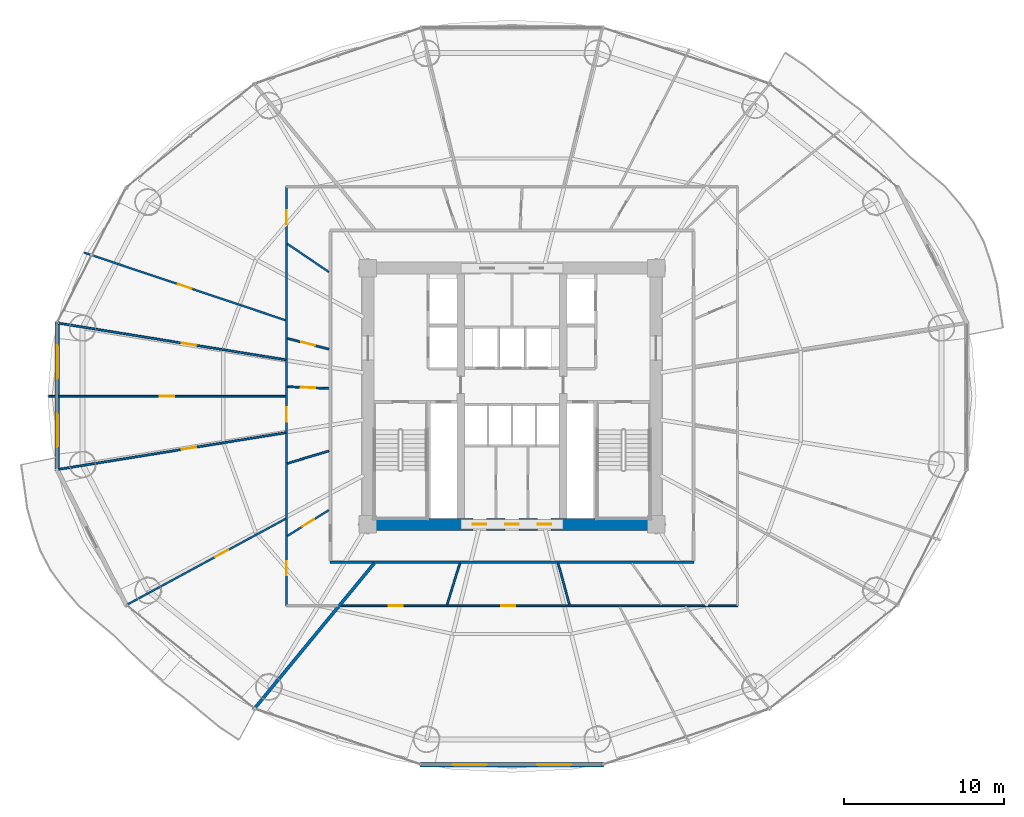
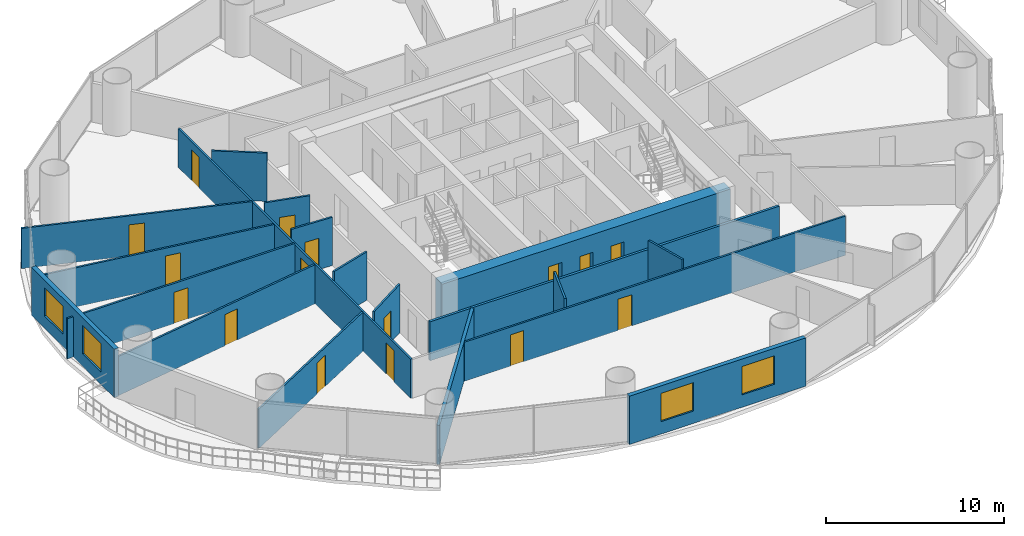
# One storey, part 21 of 28: 19 walls, 16 doors, 4 windows, 20 openings.
"""IFC4 building model written with IfcOpenShell, lengths in metres."""

from ifc_helpers import new_model, si_unit, direction, frame, frame_2d, origin, place, context, subcontext, project, spatial, rectangle, extrude, source, transform, mapped, material, layer, layer_set, type_object, element, fill, save


model = new_model("IFC4")

# Units and contexts
model_context = context("Model", 3, precision=1e-05, world=origin(), true_north=direction((-0.2419218956, 0.970295726276)))
body_context = subcontext(model_context, "Body", "Model", "MODEL_VIEW")
ifc_project = project(units=[si_unit("LENGTHUNIT", "METRE"), si_unit("AREAUNIT", "SQUARE_METRE"), si_unit("VOLUMEUNIT", "CUBIC_METRE"), si_unit("PLANEANGLEUNIT", "RADIAN"), si_unit("MASSUNIT", "GRAM", prefix="KILO")], contexts=[model_context])

# Site, building, storey
site_placement = place(None, origin())
site = spatial("IfcSite", under=ifc_project, at=site_placement, CompositionType="ELEMENT")
building_placement = place(site_placement, origin())
building = spatial("IfcBuilding", under=site, at=building_placement, Name="Cobrevalo Terracotta Tower", CompositionType="ELEMENT")
storey_placement = place(building_placement, frame((0.0, 0.0, 42.0)))
storey = spatial("IfcBuildingStorey", under=building, at=storey_placement, Name="L10", CompositionType="ELEMENT", Elevation=42.0)

# Wall, openings, doors
ifc_material_1 = material(Name="Concrete C60", Category="concrete")
ifc_layer_1 = layer(ifc_material_1, 0.75)
ifc_layer_set_1 = layer_set([ifc_layer_1], Name="Concrete C60")
wall_type_1 = type_object("IfcWallType", Name="Core shear wall 750 mm Concrete C60", PredefinedType="SHEAR", material=ifc_layer_set_1)
wall_1_placement = place(storey_placement, frame((28.625, 18.800048828125, 0.0), z_axis=(0.0, 0.0, 1.0), x_axis=(1.0, 0.0, 0.0)))
wall_1 = element("IfcWall", 1, at=wall_1_placement, inside=storey, type_object=wall_type_1, Name="L10 south core shear wall", PredefinedType="SHEAR", context=body_context, shape_type="SweptSolid", body=[
    extrude(rectangle(XDim=18.75, YDim=0.75, at=frame_2d((9.375, 0.0))), origin(), (0.0, 0.0, 1.0), 3.320068359375),
])
opening_1_placement = place(wall_1_placement, frame((6.927490234375, 0.0, 0.0)))
opening_1 = element("IfcOpeningElement", 2, at=opening_1_placement, cuts=wall_1, Name="Opening ID-22", PredefinedType="OPENING", context=body_context, shape_type="SweptSolid", body=[
    extrude(rectangle(XDim=0.85009765625, YDim=2.10009765625, at=frame_2d((0.425048828125, 1.050048828125))), frame((0.0, 0.385009765625, 0.0), z_axis=(0.0, -1.0, 0.0), x_axis=(1.0, 0.0, 0.0)), (0.0, 0.0, 1.0), 0.77001953125),
])
opening_2_placement = place(wall_1_placement, frame((8.949951171875, 0.0, 0.0)))
opening_2 = element("IfcOpeningElement", 3, at=opening_2_placement, cuts=wall_1, Name="Opening ID-22", PredefinedType="OPENING", context=body_context, shape_type="SweptSolid", body=[
    extrude(rectangle(XDim=0.85009765625, YDim=2.10009765625, at=frame_2d((0.425048828125, 1.050048828125))), frame((0.0, 0.385009765625, 0.0), z_axis=(0.0, -1.0, 0.0), x_axis=(1.0, 0.0, 0.0)), (0.0, 0.0, 1.0), 0.77001953125),
])
opening_3_placement = place(wall_1_placement, frame((10.972412109375, 0.0, 0.0)))
opening_3 = element("IfcOpeningElement", 4, at=opening_3_placement, cuts=wall_1, Name="Opening ID-22", PredefinedType="OPENING", context=body_context, shape_type="SweptSolid", body=[
    extrude(rectangle(XDim=0.85009765625, YDim=2.10009765625, at=frame_2d((0.425048828125, 1.050048828125))), frame((0.0, 0.385009765625, 0.0), z_axis=(0.0, -1.0, 0.0), x_axis=(1.0, 0.0, 0.0)), (0.0, 0.0, 1.0), 0.77001953125),
])
ifc_material_2 = material(Name="Powder-coated steel", Category="steel")
door_type_1 = type_object("IfcDoorType", Name="Riser shaft & meter closet fire access door 850x2100 EI 60", OperationType="NOTDEFINED", PredefinedType="DOOR", material=ifc_material_2)
shared_shape_1 = source(origin(), body_context, "Body", "SweptSolid", [
    extrude(rectangle(XDim=0.85009765625, YDim=2.10009765625, at=frame_2d((0.425048828125, 1.050048828125))), frame((0.0, 0.02490234375, 0.0), z_axis=(0.0, -1.0, 0.0), x_axis=(1.0, 0.0, 0.0)), (0.0, 0.0, 1.0), 0.050048828125),
])
door_1_placement = place(opening_1_placement, origin())
door_1 = element("IfcDoor", 5, at=door_1_placement, inside=storey, type_object=door_type_1, Name="L10 core south plant door HVAC Supply Air Plant", OperationType="SINGLE_SWING_RIGHT", OverallHeight=2.10009765625, OverallWidth=0.85009765625, PredefinedType="DOOR", context=body_context, shape_type="MappedRepresentation", body=[
    mapped(shared_shape_1, transform((0.0, 0.0, 0.0), scale=1.0)),
])
fill(opening_1, door_1)
door_2_placement = place(opening_2_placement, origin())
door_2 = element("IfcDoor", 6, at=door_2_placement, inside=storey, type_object=door_type_1, Name="L10 core south plant door Refuse Chute Store Room", OperationType="SINGLE_SWING_RIGHT", OverallHeight=2.10009765625, OverallWidth=0.85009765625, PredefinedType="DOOR", context=body_context, shape_type="MappedRepresentation", body=[
    mapped(shared_shape_1, transform((0.0, 0.0, 0.0), scale=1.0)),
])
fill(opening_2, door_2)
door_3_placement = place(opening_3_placement, origin())
door_3 = element("IfcDoor", 7, at=door_3_placement, inside=storey, type_object=door_type_1, Name="L10 core south plant door Hydronic Pump Manifold Plant", OperationType="SINGLE_SWING_RIGHT", OverallHeight=2.10009765625, OverallWidth=0.85009765625, PredefinedType="DOOR", context=body_context, shape_type="MappedRepresentation", body=[
    mapped(shared_shape_1, transform((0.0, 0.0, 0.0), scale=1.0)),
])
fill(opening_3, door_3)

# Walls
ifc_material_3 = material(Name="Gypsum board on steel stud", Category="steel")
ifc_layer_2 = layer(ifc_material_3, 0.159912109375)
ifc_layer_set_2 = layer_set([ifc_layer_2], Name="Gypsum board on steel stud")
wall_type_2 = type_object("IfcWallType", Name="Fire-rated corridor acoustic partition wall 160 mm", PredefinedType="PARTITIONING", material=ifc_layer_set_2)
wall_2_placement = place(storey_placement, frame((26.64501953125, 16.445068359375, 0.0), z_axis=(0.0, 0.0, 1.0), x_axis=(1.0, 0.0, 0.0)))
element("IfcWall", 8, at=wall_2_placement, inside=storey, type_object=wall_type_2, Name="L10 interior partition IW-L10-COR-S", PredefinedType="PARTITIONING", context=body_context, shape_type="SweptSolid", body=[
    extrude(rectangle(XDim=22.7099609375, YDim=0.159912109375, at=frame_2d((11.35498046875, 0.0))), origin(), (0.0, 0.0, 1.0), 2.68798828125),
])
ifc_material_4 = material(Name="Autoclaved aerated concrete block", Category="concrete")
ifc_layer_3 = layer(ifc_material_4, 0.199951171875)
ifc_layer_set_3 = layer_set([ifc_layer_3], Name="Autoclaved aerated concrete block")
wall_type_3 = type_object("IfcWallType", Name="Fire-rated stair, shaft & demising masonry wall 200 mm", PredefinedType="PARTITIONING", material=ifc_layer_set_3)
wall_3_placement = place(storey_placement, frame((29.395751953125, 16.364990234375, 0.0), z_axis=(0.0, 0.0, 1.0), x_axis=(-0.636186165667, -0.771535587393, 0.0)))
element("IfcWall", 9, at=wall_3_placement, inside=storey, type_object=wall_type_3, Name="L10 interior partition IW-L10-DEM-3", PredefinedType="PARTITIONING", context=body_context, shape_type="SweptSolid", body=[
    extrude(rectangle(XDim=11.68310546875, YDim=0.199951171875, at=frame_2d((5.841552734375, 0.0))), origin(), (0.0, 0.0, 1.0), 2.68798828125),
])

# Wall, openings, windows
ifc_layer_4 = layer(ifc_material_4, 0.280029296875)
ifc_layer_set_4 = layer_set([ifc_layer_4], Name="Autoclaved aerated concrete block")
wall_type_4 = type_object("IfcWallType", Name="Insulated tower spandrel & pier wall 280 mm with terracotta rainscreen", PredefinedType="SOLIDWALL", material=ifc_layer_set_4)
wall_4_placement = place(storey_placement, frame((9.586669921875, 31.458740234375, 0.0), z_axis=(0.0, 0.0, 1.0), x_axis=(0.0, -1.0, 0.0)))
wall_4 = element("IfcWall", 10, at=wall_4_placement, inside=storey, type_object=wall_type_4, Name="L10 terracotta rainscreen pier wall S08", PredefinedType="SOLIDWALL", context=body_context, shape_type="SweptSolid", body=[
    extrude(rectangle(XDim=9.317626953125, YDim=0.280029296875, at=frame_2d((4.65869140625, 0.0))), origin(), (0.0, 0.0, 1.0), 3.320068359375),
])
opening_4_placement = place(wall_4_placement, frame((1.4658203125, 0.0, 0.85009765625)))
opening_4 = element("IfcOpeningElement", 11, at=opening_4_placement, cuts=wall_4, Name="Opening WN-10", PredefinedType="OPENING", context=body_context, shape_type="SweptSolid", body=[
    extrude(rectangle(XDim=2.10009765625, YDim=1.949951171875, at=frame_2d((1.050048828125, 0.97509765625))), frame((0.0, 0.14990234375, 0.0), z_axis=(0.0, -1.0, 0.0), x_axis=(1.0, 0.0, 0.0)), (0.0, 0.0, 1.0), 0.300048828125),
])
opening_5_placement = place(wall_4_placement, frame((5.751708984375, 0.0, 0.85009765625)))
opening_5 = element("IfcOpeningElement", 12, at=opening_5_placement, cuts=wall_4, Name="Opening WN-10", PredefinedType="OPENING", context=body_context, shape_type="SweptSolid", body=[
    extrude(rectangle(XDim=2.10009765625, YDim=1.949951171875, at=frame_2d((1.050048828125, 0.97509765625))), frame((0.0, 0.14990234375, 0.0), z_axis=(0.0, -1.0, 0.0), x_axis=(1.0, 0.0, 0.0)), (0.0, 0.0, 1.0), 0.300048828125),
])
ifc_material_5 = material(Name="Solar-control low-E double glazing", Category="glass")
window_type = type_object("IfcWindowType", Name="Wide panoramic low-E aluminium window 2100x1950", PartitioningType="SINGLE_PANEL", PredefinedType="WINDOW", material=ifc_material_5)
shared_shape_2 = source(origin(), body_context, "Body", "SweptSolid", [
    extrude(rectangle(XDim=2.10009765625, YDim=1.949951171875, at=frame_2d((1.050048828125, 0.97509765625))), frame((0.0, 0.030029296875, 0.0), z_axis=(0.0, -1.0, 0.0), x_axis=(1.0, 0.0, 0.0)), (0.0, 0.0, 1.0), 0.06005859375),
])
window_1_placement = place(opening_4_placement, origin())
window_1 = element("IfcWindow", 13, at=window_1_placement, inside=storey, type_object=window_type, Name="L10 suite window S08A", OverallHeight=1.949951171875, OverallWidth=2.10009765625, PartitioningType="SINGLE_PANEL", PredefinedType="WINDOW", context=body_context, shape_type="MappedRepresentation", body=[
    mapped(shared_shape_2, transform((0.0, 0.0, 0.0), scale=1.0)),
])
fill(opening_4, window_1)
window_2_placement = place(opening_5_placement, origin())
window_2 = element("IfcWindow", 14, at=window_2_placement, inside=storey, type_object=window_type, Name="L10 suite window S08B", OverallHeight=1.949951171875, OverallWidth=2.10009765625, PartitioningType="SINGLE_PANEL", PredefinedType="WINDOW", context=body_context, shape_type="MappedRepresentation", body=[
    mapped(shared_shape_2, transform((0.0, 0.0, 0.0), scale=1.0)),
])
fill(opening_5, window_2)

wall_5_placement = place(storey_placement, frame((32.268310546875, 3.781005859375, 0.0), z_axis=(0.0, 0.0, 1.0), x_axis=(1.0, 0.0, 0.0)))
wall_5 = element("IfcWall", 15, at=wall_5_placement, inside=storey, type_object=wall_type_4, Name="L10 terracotta rainscreen pier wall S12", PredefinedType="SOLIDWALL", context=body_context, shape_type="SweptSolid", body=[
    extrude(rectangle(XDim=11.46337890625, YDim=0.280029296875, at=frame_2d((5.731689453125, 0.0))), origin(), (0.0, 0.0, 1.0), 3.320068359375),
])
opening_6_placement = place(wall_5_placement, frame((2.045166015625, 0.0, 0.85009765625)))
opening_6 = element("IfcOpeningElement", 16, at=opening_6_placement, cuts=wall_5, Name="Opening WN-10", PredefinedType="OPENING", context=body_context, shape_type="SweptSolid", body=[
    extrude(rectangle(XDim=2.10009765625, YDim=1.949951171875, at=frame_2d((1.050048828125, 0.97509765625))), frame((0.0, 0.14990234375, 0.0), z_axis=(0.0, -1.0, 0.0), x_axis=(1.0, 0.0, 0.0)), (0.0, 0.0, 1.0), 0.300048828125),
])
opening_7_placement = place(wall_5_placement, frame((7.318359375, 0.0, 0.85009765625)))
opening_7 = element("IfcOpeningElement", 17, at=opening_7_placement, cuts=wall_5, Name="Opening WN-10", PredefinedType="OPENING", context=body_context, shape_type="SweptSolid", body=[
    extrude(rectangle(XDim=2.10009765625, YDim=1.949951171875, at=frame_2d((1.050048828125, 0.97509765625))), frame((0.0, 0.14990234375, 0.0), z_axis=(0.0, -1.0, 0.0), x_axis=(1.0, 0.0, 0.0)), (0.0, 0.0, 1.0), 0.300048828125),
])
window_3_placement = place(opening_6_placement, origin())
window_3 = element("IfcWindow", 18, at=window_3_placement, inside=storey, type_object=window_type, Name="L10 suite window S12A", OverallHeight=1.949951171875, OverallWidth=2.10009765625, PartitioningType="SINGLE_PANEL", PredefinedType="WINDOW", context=body_context, shape_type="MappedRepresentation", body=[
    mapped(shared_shape_2, transform((0.0, 0.0, 0.0), scale=1.0)),
])
fill(opening_6, window_3)
window_4_placement = place(opening_7_placement, origin())
window_4 = element("IfcWindow", 19, at=window_4_placement, inside=storey, type_object=window_type, Name="L10 suite window S12B", OverallHeight=1.949951171875, OverallWidth=2.10009765625, PartitioningType="SINGLE_PANEL", PredefinedType="WINDOW", context=body_context, shape_type="MappedRepresentation", body=[
    mapped(shared_shape_2, transform((0.0, 0.0, 0.0), scale=1.0)),
])
fill(opening_7, window_4)

# Wall, openings, doors
ifc_layer_5 = layer(ifc_material_3, 0.1201171875)
ifc_layer_set_5 = layer_set([ifc_layer_5], Name="Gypsum board on steel stud")
wall_type_5 = type_object("IfcWallType", Name="Residential internal acoustic stud partition 120 mm", PredefinedType="PARTITIONING", material=ifc_layer_set_5)
wall_6_placement = place(storey_placement, frame((23.9150390625, 13.715087890625, 0.0), z_axis=(0.0, 0.0, 1.0), x_axis=(0.0, 1.0, 0.0)))
wall_6 = element("IfcWall", 20, at=wall_6_placement, inside=storey, type_object=wall_type_5, Name="L10 interior partition IW-L10-U2-RING1_0", PredefinedType="PARTITIONING", context=body_context, shape_type="SweptSolid", body=[
    extrude(rectangle(XDim=26.169921875, YDim=0.1201171875, at=frame_2d((13.0849609375, 0.0))), origin(), (0.0, 0.0, 1.0), 2.68798828125),
])
opening_8_placement = place(wall_6_placement, frame((1.894775390625, 0.0, 0.0)))
opening_8 = element("IfcOpeningElement", 21, at=opening_8_placement, cuts=wall_6, Name="Opening ID-12", PredefinedType="OPENING", context=body_context, shape_type="SweptSolid", body=[
    extrude(rectangle(XDim=0.89990234375, YDim=2.14990234375, at=frame_2d((0.449951171875, 1.074951171875))), frame((0.0, 0.070068359375, 0.0), z_axis=(0.0, -1.0, 0.0), x_axis=(1.0, 0.0, 0.0)), (0.0, 0.0, 1.0), 0.14013671875),
])
opening_9_placement = place(wall_6_placement, frame((11.498291015625, 0.0, 0.0)))
opening_9 = element("IfcOpeningElement", 22, at=opening_9_placement, cuts=wall_6, Name="Opening ID-12", PredefinedType="OPENING", context=body_context, shape_type="SweptSolid", body=[
    extrude(rectangle(XDim=0.89990234375, YDim=2.14990234375, at=frame_2d((0.449951171875, 1.074951171875))), frame((0.0, 0.070068359375, 0.0), z_axis=(0.0, -1.0, 0.0), x_axis=(1.0, 0.0, 0.0)), (0.0, 0.0, 1.0), 0.14013671875),
])
opening_10_placement = place(wall_6_placement, frame((23.83056640625, 0.0, 0.0)))
opening_10 = element("IfcOpeningElement", 23, at=opening_10_placement, cuts=wall_6, Name="Opening ID-19", PredefinedType="OPENING", context=body_context, shape_type="SweptSolid", body=[
    extrude(rectangle(XDim=0.860107421875, YDim=2.14990234375, at=frame_2d((0.43017578125, 1.074951171875))), frame((0.0, 0.070068359375, 0.0), z_axis=(0.0, -1.0, 0.0), x_axis=(1.0, 0.0, 0.0)), (0.0, 0.0, 1.0), 0.14013671875),
])
ifc_material_6 = material(Name="Moisture-sealed timber", Category="wood")
door_type_2 = type_object("IfcDoorType", Name="Suite bathroom internal timber door 860x2150", OperationType="NOTDEFINED", PredefinedType="DOOR", material=ifc_material_6)
shared_shape_3 = source(origin(), body_context, "Body", "SweptSolid", [
    extrude(rectangle(XDim=0.860107421875, YDim=2.14990234375, at=frame_2d((0.43017578125, 1.074951171875))), frame((0.0, 0.02490234375, 0.0), z_axis=(0.0, -1.0, 0.0), x_axis=(1.0, 0.0, 0.0)), (0.0, 0.0, 1.0), 0.050048828125),
])
door_4_placement = place(opening_10_placement, frame((0.860107421875, 0.0, 0.0), z_axis=(0.0, 0.0, 1.0), x_axis=(-1.0, 0.0, 0.0)))
door_4 = element("IfcDoor", 24, at=door_4_placement, inside=storey, type_object=door_type_2, Name="Flat L10B Guest Bathroom internal door", OperationType="SINGLE_SWING_RIGHT", OverallHeight=2.14990234375, OverallWidth=0.860107421875, PredefinedType="DOOR", context=body_context, shape_type="MappedRepresentation", body=[
    mapped(shared_shape_3, transform((0.0, 0.0, 0.0), scale=1.0)),
])
fill(opening_10, door_4)
ifc_material_7 = material(Name="Engineered timber", Category="wood")
door_type_3 = type_object("IfcDoorType", Name="Internal residence & suite timber door 900x2150", OperationType="NOTDEFINED", PredefinedType="DOOR", material=ifc_material_7)
shared_shape_4 = source(origin(), body_context, "Body", "SweptSolid", [
    extrude(rectangle(XDim=0.89990234375, YDim=2.14990234375, at=frame_2d((0.449951171875, 1.074951171875))), frame((0.0, 0.02490234375, 0.0), z_axis=(0.0, -1.0, 0.0), x_axis=(1.0, 0.0, 0.0)), (0.0, 0.0, 1.0), 0.050048828125),
])
door_5_placement = place(opening_8_placement, origin())
door_5 = element("IfcDoor", 25, at=door_5_placement, inside=storey, type_object=door_type_3, Name="Flat L10B Penthouse Family Lounge internal door", OperationType="SINGLE_SWING_LEFT", OverallHeight=2.14990234375, OverallWidth=0.89990234375, PredefinedType="DOOR", context=body_context, shape_type="MappedRepresentation", body=[
    mapped(shared_shape_4, transform((0.0, 0.0, 0.0), scale=1.0)),
])
fill(opening_8, door_5)
door_6_placement = place(opening_9_placement, frame((0.89990234375, 0.0, 0.0), z_axis=(0.0, 0.0, 1.0), x_axis=(-1.0, 0.0, 0.0)))
door_6 = element("IfcDoor", 26, at=door_6_placement, inside=storey, type_object=door_type_3, Name="Flat L10B Kitchen internal door", OperationType="SINGLE_SWING_RIGHT", OverallHeight=2.14990234375, OverallWidth=0.89990234375, PredefinedType="DOOR", context=body_context, shape_type="MappedRepresentation", body=[
    mapped(shared_shape_4, transform((0.0, 0.0, 0.0), scale=1.0)),
])
fill(opening_9, door_6)

# Wall, opening, door
wall_7_placement = place(storey_placement, frame((23.856201171875, 31.54736328125, 0.0), z_axis=(0.0, 0.0, 1.0), x_axis=(-0.948017487737, 0.318218231634, 0.0)))
wall_7 = element("IfcWall", 27, at=wall_7_placement, inside=storey, type_object=wall_type_5, Name="L10 interior partition IW-L10-U2-ORAD1", PredefinedType="PARTITIONING", context=body_context, shape_type="SweptSolid", body=[
    extrude(rectangle(XDim=13.27880859375, YDim=0.1201171875, at=frame_2d((6.639404296875, 0.0))), origin(), (0.0, 0.0, 1.0), 2.761962890625),
])
opening_11_placement = place(wall_7_placement, frame((6.189453125, 0.0, 0.0)))
opening_11 = element("IfcOpeningElement", 28, at=opening_11_placement, cuts=wall_7, Name="Opening ID-12", PredefinedType="OPENING", context=body_context, shape_type="SweptSolid", body=[
    extrude(rectangle(XDim=0.89990234375, YDim=2.14990234375, at=frame_2d((0.449951171875, 1.074951171875))), frame((0.0, 0.070068359375, 0.0), z_axis=(0.0, -1.0, 0.0), x_axis=(1.0, 0.0, 0.0)), (0.0, 0.0, 1.0), 0.14013671875),
])
door_7_placement = place(opening_11_placement, frame((0.89990234375, 0.0, 0.0), z_axis=(0.0, 0.0, 1.0), x_axis=(-1.0, 0.0, 0.0)))
door_7 = element("IfcDoor", 29, at=door_7_placement, inside=storey, type_object=door_type_3, Name="Flat L10B Penthouse Living and Dining Room internal door", OperationType="SINGLE_SWING_LEFT", OverallHeight=2.14990234375, OverallWidth=0.89990234375, PredefinedType="DOOR", context=body_context, shape_type="MappedRepresentation", body=[
    mapped(shared_shape_4, transform((0.0, 0.0, 0.0), scale=1.0)),
])
fill(opening_11, door_7)

wall_8_placement = place(storey_placement, frame((23.853759765625, 29.080078125, 0.0), z_axis=(0.0, 0.0, 1.0), x_axis=(-0.987255773689, 0.159141563768, 0.0)))
wall_8 = element("IfcWall", 30, at=wall_8_placement, inside=storey, type_object=wall_type_5, Name="L10 interior partition IW-L10-U2-ORAD2M1", PredefinedType="PARTITIONING", context=body_context, shape_type="SweptSolid", body=[
    extrude(rectangle(XDim=14.359375, YDim=0.1201171875, at=frame_2d((7.1796875, 0.0))), origin(), (0.0, 0.0, 1.0), 2.68798828125),
])
opening_12_placement = place(wall_8_placement, frame((5.65966796875, 0.0, 0.0)))
opening_12 = element("IfcOpeningElement", 31, at=opening_12_placement, cuts=wall_8, Name="Opening ID-12", PredefinedType="OPENING", context=body_context, shape_type="SweptSolid", body=[
    extrude(rectangle(XDim=0.89990234375, YDim=2.14990234375, at=frame_2d((0.449951171875, 1.074951171875))), frame((0.0, 0.070068359375, 0.0), z_axis=(0.0, -1.0, 0.0), x_axis=(1.0, 0.0, 0.0)), (0.0, 0.0, 1.0), 0.14013671875),
])
door_8_placement = place(opening_12_placement, frame((0.89990234375, 0.0, 0.0), z_axis=(0.0, 0.0, 1.0), x_axis=(-1.0, 0.0, 0.0)))
door_8 = element("IfcDoor", 32, at=door_8_placement, inside=storey, type_object=door_type_3, Name="Flat L10B Master Bedroom internal door", OperationType="SINGLE_SWING_RIGHT", OverallHeight=2.14990234375, OverallWidth=0.89990234375, PredefinedType="DOOR", context=body_context, shape_type="MappedRepresentation", body=[
    mapped(shared_shape_4, transform((0.0, 0.0, 0.0), scale=1.0)),
])
fill(opening_12, door_8)

wall_9_placement = place(storey_placement, frame((23.85302734375, 26.800048828125, 0.0), z_axis=(0.0, 0.0, 1.0), x_axis=(-1.0, 0.0, 0.0)))
wall_9 = element("IfcWall", 33, at=wall_9_placement, inside=storey, type_object=wall_type_5, Name="L10 interior partition IW-L10-U2-ORAD2M2", PredefinedType="PARTITIONING", context=body_context, shape_type="SweptSolid", body=[
    extrude(rectangle(XDim=14.79296875, YDim=0.1201171875, at=frame_2d((7.396484375, 0.0))), origin(), (0.0, 0.0, 1.0), 2.761962890625),
])
opening_13_placement = place(wall_9_placement, frame((6.946533203125, 0.0, 0.0)))
opening_13 = element("IfcOpeningElement", 34, at=opening_13_placement, cuts=wall_9, Name="Opening ID-12", PredefinedType="OPENING", context=body_context, shape_type="SweptSolid", body=[
    extrude(rectangle(XDim=0.89990234375, YDim=2.14990234375, at=frame_2d((0.449951171875, 1.074951171875))), frame((0.0, 0.070068359375, 0.0), z_axis=(0.0, -1.0, 0.0), x_axis=(1.0, 0.0, 0.0)), (0.0, 0.0, 1.0), 0.14013671875),
])
door_9_placement = place(opening_13_placement, frame((0.89990234375, 0.0, 0.0), z_axis=(0.0, 0.0, 1.0), x_axis=(-1.0, 0.0, 0.0)))
door_9 = element("IfcDoor", 35, at=door_9_placement, inside=storey, type_object=door_type_3, Name="Flat L10B Principal Guest Bedroom internal door", OperationType="SINGLE_SWING_RIGHT", OverallHeight=2.14990234375, OverallWidth=0.89990234375, PredefinedType="DOOR", context=body_context, shape_type="MappedRepresentation", body=[
    mapped(shared_shape_4, transform((0.0, 0.0, 0.0), scale=1.0)),
])
fill(opening_13, door_9)

wall_10_placement = place(storey_placement, frame((23.853759765625, 24.519775390625, 0.0), z_axis=(0.0, 0.0, 1.0), x_axis=(-0.987258444847, -0.159124991997, 0.0)))
wall_10 = element("IfcWall", 36, at=wall_10_placement, inside=storey, type_object=wall_type_5, Name="L10 interior partition IW-L10-U2-ORAD2", PredefinedType="PARTITIONING", context=body_context, shape_type="SweptSolid", body=[
    extrude(rectangle(XDim=14.359130859375, YDim=0.1201171875, at=frame_2d((7.1796875, 0.0))), origin(), (0.0, 0.0, 1.0), 2.68798828125),
])
opening_14_placement = place(wall_10_placement, frame((5.658935546875, 0.0, 0.0)))
opening_14 = element("IfcOpeningElement", 37, at=opening_14_placement, cuts=wall_10, Name="Opening ID-12", PredefinedType="OPENING", context=body_context, shape_type="SweptSolid", body=[
    extrude(rectangle(XDim=0.89990234375, YDim=2.14990234375, at=frame_2d((0.449951171875, 1.074951171875))), frame((0.0, 0.070068359375, 0.0), z_axis=(0.0, -1.0, 0.0), x_axis=(1.0, 0.0, 0.0)), (0.0, 0.0, 1.0), 0.14013671875),
])
door_10_placement = place(opening_14_placement, frame((0.89990234375, 0.0, 0.0), z_axis=(0.0, 0.0, 1.0), x_axis=(-1.0, 0.0, 0.0)))
door_10 = element("IfcDoor", 38, at=door_10_placement, inside=storey, type_object=door_type_3, Name="Flat L10B Principal Guest Bedroom internal door", OperationType="SINGLE_SWING_LEFT", OverallHeight=2.14990234375, OverallWidth=0.89990234375, PredefinedType="DOOR", context=body_context, shape_type="MappedRepresentation", body=[
    mapped(shared_shape_4, transform((0.0, 0.0, 0.0), scale=1.0)),
])
fill(opening_14, door_10)

wall_11_placement = place(storey_placement, frame((23.860595703125, 19.14404296875, 0.0), z_axis=(0.0, 0.0, 1.0), x_axis=(-0.879372452045, -0.476134529922, 0.0)))
wall_11 = element("IfcWall", 39, at=wall_11_placement, inside=storey, type_object=wall_type_5, Name="L10 interior partition IW-L10-U2-ORAD3", PredefinedType="PARTITIONING", context=body_context, shape_type="SweptSolid", body=[
    extrude(rectangle(XDim=11.219482421875, YDim=0.1201171875, at=frame_2d((5.60986328125, 0.0))), origin(), (0.0, 0.0, 1.0), 2.68798828125),
])
opening_15_placement = place(wall_11_placement, frame((4.0966796875, 0.0, 0.0)))
opening_15 = element("IfcOpeningElement", 40, at=opening_15_placement, cuts=wall_11, Name="Opening ID-12", PredefinedType="OPENING", context=body_context, shape_type="SweptSolid", body=[
    extrude(rectangle(XDim=0.89990234375, YDim=2.14990234375, at=frame_2d((0.449951171875, 1.074951171875))), frame((0.0, 0.070068359375, 0.0), z_axis=(0.0, -1.0, 0.0), x_axis=(1.0, 0.0, 0.0)), (0.0, 0.0, 1.0), 0.14013671875),
])
door_11_placement = place(opening_15_placement, frame((0.89990234375, 0.0, 0.0), z_axis=(0.0, 0.0, 1.0), x_axis=(-1.0, 0.0, 0.0)))
door_11 = element("IfcDoor", 41, at=door_11_placement, inside=storey, type_object=door_type_3, Name="Flat L10B Penthouse Family Lounge internal door", OperationType="SINGLE_SWING_RIGHT", OverallHeight=2.14990234375, OverallWidth=0.89990234375, PredefinedType="DOOR", context=body_context, shape_type="MappedRepresentation", body=[
    mapped(shared_shape_4, transform((0.0, 0.0, 0.0), scale=1.0)),
])
fill(opening_15, door_11)

# Wall
wall_12_placement = place(storey_placement, frame((26.56494140625, 34.55810546875, 0.0), z_axis=(0.0, 0.0, 1.0), x_axis=(-0.827501574847, 0.561463394734, 0.0)))
element("IfcWall", 42, at=wall_12_placement, inside=storey, type_object=wall_type_5, Name="L10 interior partition IW-L10-U2-IRAD1", PredefinedType="PARTITIONING", context=body_context, shape_type="SweptSolid", body=[
    extrude(rectangle(XDim=3.140380859375, YDim=0.1201171875, at=frame_2d((1.5703125, 0.0))), origin(), (0.0, 0.0, 1.0), 3.320068359375),
])

# Wall, opening, door
wall_13_placement = place(storey_placement, frame((26.56494140625, 29.743896484375, 0.0), z_axis=(0.0, 0.0, 1.0), x_axis=(-0.968421803088, 0.249317490972, 0.0)))
wall_13 = element("IfcWall", 43, at=wall_13_placement, inside=storey, type_object=wall_type_5, Name="L10 interior partition IW-L10-U2-IRAD2", PredefinedType="PARTITIONING", context=body_context, shape_type="SweptSolid", body=[
    extrude(rectangle(XDim=2.67431640625, YDim=0.1201171875, at=frame_2d((1.337158203125, 0.0))), origin(), (0.0, 0.0, 1.0), 3.320068359375),
])
opening_16_placement = place(wall_13_placement, frame((0.88720703125, 0.0, 0.0)))
opening_16 = element("IfcOpeningElement", 44, at=opening_16_placement, cuts=wall_13, Name="Opening ID-12", PredefinedType="OPENING", context=body_context, shape_type="SweptSolid", body=[
    extrude(rectangle(XDim=0.89990234375, YDim=2.14990234375, at=frame_2d((0.449951171875, 1.074951171875))), frame((0.0, 0.070068359375, 0.0), z_axis=(0.0, -1.0, 0.0), x_axis=(1.0, 0.0, 0.0)), (0.0, 0.0, 1.0), 0.14013671875),
])
door_12_placement = place(opening_16_placement, frame((0.89990234375, 0.0, 0.0), z_axis=(0.0, 0.0, 1.0), x_axis=(-1.0, 0.0, 0.0)))
door_12 = element("IfcDoor", 45, at=door_12_placement, inside=storey, type_object=door_type_3, Name="Flat L10B Home Office Study internal door", OperationType="SINGLE_SWING_LEFT", OverallHeight=2.14990234375, OverallWidth=0.89990234375, PredefinedType="DOOR", context=body_context, shape_type="MappedRepresentation", body=[
    mapped(shared_shape_4, transform((0.0, 0.0, 0.0), scale=1.0)),
])
fill(opening_16, door_12)

wall_14_placement = place(storey_placement, frame((26.56494140625, 27.28564453125, 0.0), z_axis=(0.0, 0.0, 1.0), x_axis=(-0.999100094808, 0.042414626666, 0.0)))
wall_14 = element("IfcWall", 46, at=wall_14_placement, inside=storey, type_object=wall_type_5, Name="L10 interior partition IW-L10-U2-IRAD3", PredefinedType="PARTITIONING", context=body_context, shape_type="SweptSolid", body=[
    extrude(rectangle(XDim=2.59033203125, YDim=0.1201171875, at=frame_2d((1.295166015625, 0.0))), origin(), (0.0, 0.0, 1.0), 3.320068359375),
])
opening_17_placement = place(wall_14_placement, frame((0.84521484375, 0.0, 0.0)))
opening_17 = element("IfcOpeningElement", 47, at=opening_17_placement, cuts=wall_14, Name="Opening ID-12", PredefinedType="OPENING", context=body_context, shape_type="SweptSolid", body=[
    extrude(rectangle(XDim=0.89990234375, YDim=2.14990234375, at=frame_2d((0.449951171875, 1.074951171875))), frame((0.0, 0.070068359375, 0.0), z_axis=(0.0, -1.0, 0.0), x_axis=(1.0, 0.0, 0.0)), (0.0, 0.0, 1.0), 0.14013671875),
])
door_13_placement = place(opening_17_placement, frame((0.89990234375, 0.0, 0.0), z_axis=(0.0, 0.0, 1.0), x_axis=(-1.0, 0.0, 0.0)))
door_13 = element("IfcDoor", 48, at=door_13_placement, inside=storey, type_object=door_type_3, Name="Flat L10B Utility Closet internal door", OperationType="SINGLE_SWING_LEFT", OverallHeight=2.14990234375, OverallWidth=0.89990234375, PredefinedType="DOOR", context=body_context, shape_type="MappedRepresentation", body=[
    mapped(shared_shape_4, transform((0.0, 0.0, 0.0), scale=1.0)),
])
fill(opening_17, door_13)

# Wall
wall_15_placement = place(storey_placement, frame((26.56494140625, 23.381591796875, 0.0), z_axis=(0.0, 0.0, 1.0), x_axis=(-0.958081868855, -0.286494559408, 0.0)))
element("IfcWall", 49, at=wall_15_placement, inside=storey, type_object=wall_type_5, Name="L10 interior partition IW-L10-U2-IRAD4", PredefinedType="PARTITIONING", context=body_context, shape_type="SweptSolid", body=[
    extrude(rectangle(XDim=2.703857421875, YDim=0.1201171875, at=frame_2d((1.35205078125, 0.0))), origin(), (0.0, 0.0, 1.0), 3.320068359375),
])

# Wall, opening, door
wall_16_placement = place(storey_placement, frame((26.56494140625, 19.689697265625, 0.0), z_axis=(0.0, 0.0, 1.0), x_axis=(-0.849229217796, -0.52802437031, 0.0)))
wall_16 = element("IfcWall", 50, at=wall_16_placement, inside=storey, type_object=wall_type_5, Name="L10 interior partition IW-L10-U2-IRAD5", PredefinedType="PARTITIONING", context=body_context, shape_type="SweptSolid", body=[
    extrude(rectangle(XDim=3.05859375, YDim=0.1201171875, at=frame_2d((1.529296875, 0.0))), origin(), (0.0, 0.0, 1.0), 3.320068359375),
])
opening_18_placement = place(wall_16_placement, frame((1.099365234375, 0.0, 0.0)))
opening_18 = element("IfcOpeningElement", 51, at=opening_18_placement, cuts=wall_16, Name="Opening ID-19", PredefinedType="OPENING", context=body_context, shape_type="SweptSolid", body=[
    extrude(rectangle(XDim=0.860107421875, YDim=2.14990234375, at=frame_2d((0.43017578125, 1.074951171875))), frame((0.0, 0.070068359375, 0.0), z_axis=(0.0, -1.0, 0.0), x_axis=(1.0, 0.0, 0.0)), (0.0, 0.0, 1.0), 0.14013671875),
])
door_14_placement = place(opening_18_placement, frame((0.860107421875, 0.0, 0.0), z_axis=(0.0, 0.0, 1.0), x_axis=(-1.0, 0.0, 0.0)))
door_14 = element("IfcDoor", 52, at=door_14_placement, inside=storey, type_object=door_type_2, Name="Flat L10B Primary Bathroom internal door", OperationType="SINGLE_SWING_RIGHT", OverallHeight=2.14990234375, OverallWidth=0.860107421875, PredefinedType="DOOR", context=body_context, shape_type="MappedRepresentation", body=[
    mapped(shared_shape_3, transform((0.0, 0.0, 0.0), scale=1.0)),
])
fill(opening_18, door_14)

# Wall, openings, doors
wall_17_placement = place(storey_placement, frame((52.0849609375, 13.715087890625, 0.0), z_axis=(0.0, 0.0, 1.0), x_axis=(-1.0, 0.0, 0.0)))
wall_17 = element("IfcWall", 53, at=wall_17_placement, inside=storey, type_object=wall_type_5, Name="L10 interior partition IW-L10-U3-RING1_0", PredefinedType="PARTITIONING", context=body_context, shape_type="SweptSolid", body=[
    extrude(rectangle(XDim=24.7724609375, YDim=0.1201171875, at=frame_2d((12.38623046875, 0.0))), origin(), (0.0, 0.0, 1.0), 2.68798828125),
])
opening_19_placement = place(wall_17_placement, frame((20.912109375, 0.0, 0.0)))
opening_19 = element("IfcOpeningElement", 54, at=opening_19_placement, cuts=wall_17, Name="Opening ID-19", PredefinedType="OPENING", context=body_context, shape_type="SweptSolid", body=[
    extrude(rectangle(XDim=0.860107421875, YDim=2.14990234375, at=frame_2d((0.43017578125, 1.074951171875))), frame((0.0, 0.070068359375, 0.0), z_axis=(0.0, -1.0, 0.0), x_axis=(1.0, 0.0, 0.0)), (0.0, 0.0, 1.0), 0.14013671875),
])
opening_20_placement = place(wall_17_placement, frame((13.86962890625, 0.0, 0.0)))
opening_20 = element("IfcOpeningElement", 55, at=opening_20_placement, cuts=wall_17, Name="Opening ID-12", PredefinedType="OPENING", context=body_context, shape_type="SweptSolid", body=[
    extrude(rectangle(XDim=0.89990234375, YDim=2.14990234375, at=frame_2d((0.449951171875, 1.074951171875))), frame((0.0, 0.070068359375, 0.0), z_axis=(0.0, -1.0, 0.0), x_axis=(1.0, 0.0, 0.0)), (0.0, 0.0, 1.0), 0.14013671875),
])
door_15_placement = place(opening_19_placement, frame((0.860107421875, 0.0, 0.0), z_axis=(0.0, 0.0, 1.0), x_axis=(-1.0, 0.0, 0.0)))
door_15 = element("IfcDoor", 56, at=door_15_placement, inside=storey, type_object=door_type_2, Name="Flat L10C Guest Bathroom internal door", OperationType="SINGLE_SWING_RIGHT", OverallHeight=2.14990234375, OverallWidth=0.860107421875, PredefinedType="DOOR", context=body_context, shape_type="MappedRepresentation", body=[
    mapped(shared_shape_3, transform((0.0, 0.0, 0.0), scale=1.0)),
])
fill(opening_19, door_15)
door_16_placement = place(opening_20_placement, frame((0.89990234375, 0.0, 0.0), z_axis=(0.0, 0.0, 1.0), x_axis=(-1.0, 0.0, 0.0)))
door_16 = element("IfcDoor", 57, at=door_16_placement, inside=storey, type_object=door_type_3, Name="Flat L10C Utility Closet internal door", OperationType="SINGLE_SWING_LEFT", OverallHeight=2.14990234375, OverallWidth=0.89990234375, PredefinedType="DOOR", context=body_context, shape_type="MappedRepresentation", body=[
    mapped(shared_shape_4, transform((0.0, 0.0, 0.0), scale=1.0)),
])
fill(opening_20, door_16)

# Walls
wall_18_placement = place(storey_placement, frame((34.74755859375, 16.364990234375, 0.0), z_axis=(0.0, 0.0, 1.0), x_axis=(-0.297598752493, -0.954691040345, 0.0)))
element("IfcWall", 58, at=wall_18_placement, inside=storey, type_object=wall_type_5, Name="L10 interior partition IW-L10-U3-IRAD1", PredefinedType="PARTITIONING", context=body_context, shape_type="SweptSolid", body=[
    extrude(rectangle(XDim=2.7138671875, YDim=0.1201171875, at=frame_2d((1.35693359375, 0.0))), origin(), (0.0, 0.0, 1.0), 3.320068359375),
])
wall_19_placement = place(storey_placement, frame((40.87841796875, 16.364990234375, 0.0), z_axis=(0.0, 0.0, 1.0), x_axis=(0.265853298244, -0.964013497734, 0.0)))
element("IfcWall", 59, at=wall_19_placement, inside=storey, type_object=wall_type_5, Name="L10 interior partition IW-L10-U3-IRAD2", PredefinedType="PARTITIONING", context=body_context, shape_type="SweptSolid", body=[
    extrude(rectangle(XDim=2.68701171875, YDim=0.1201171875, at=frame_2d((1.343505859375, 0.0))), origin(), (0.0, 0.0, 1.0), 3.320068359375),
])

save(model, "model.ifc")
